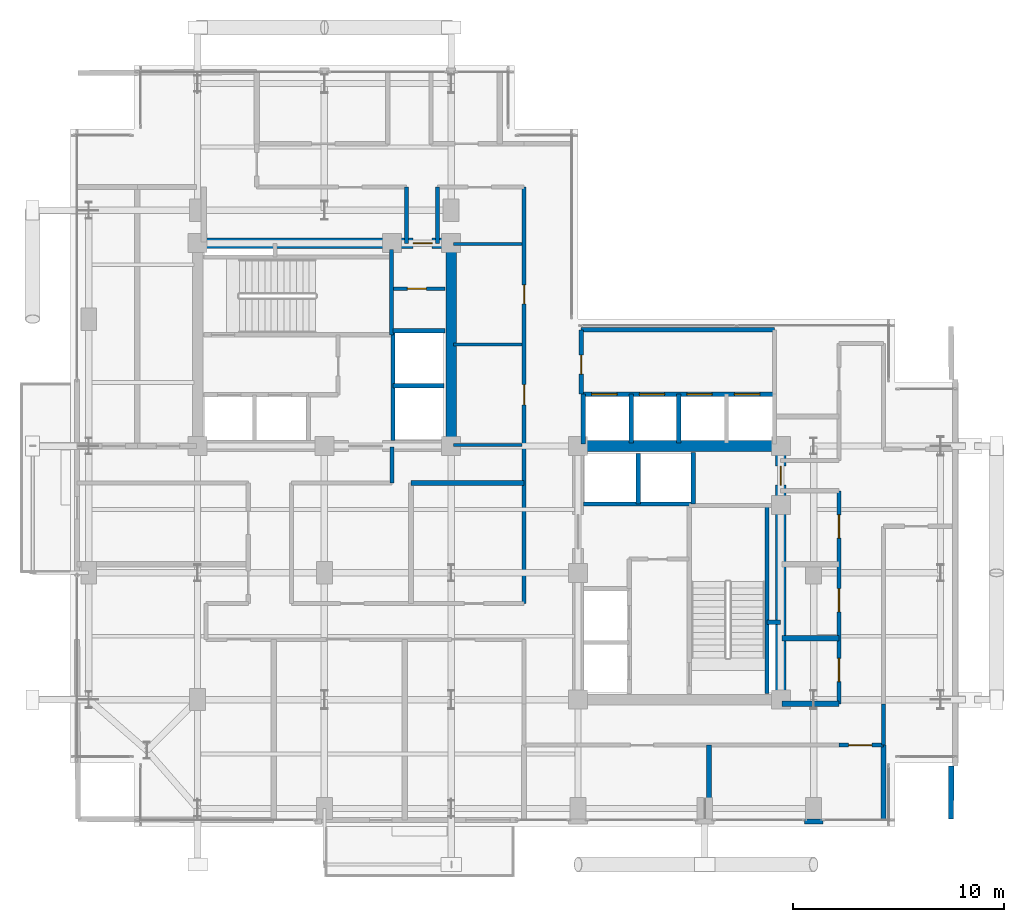
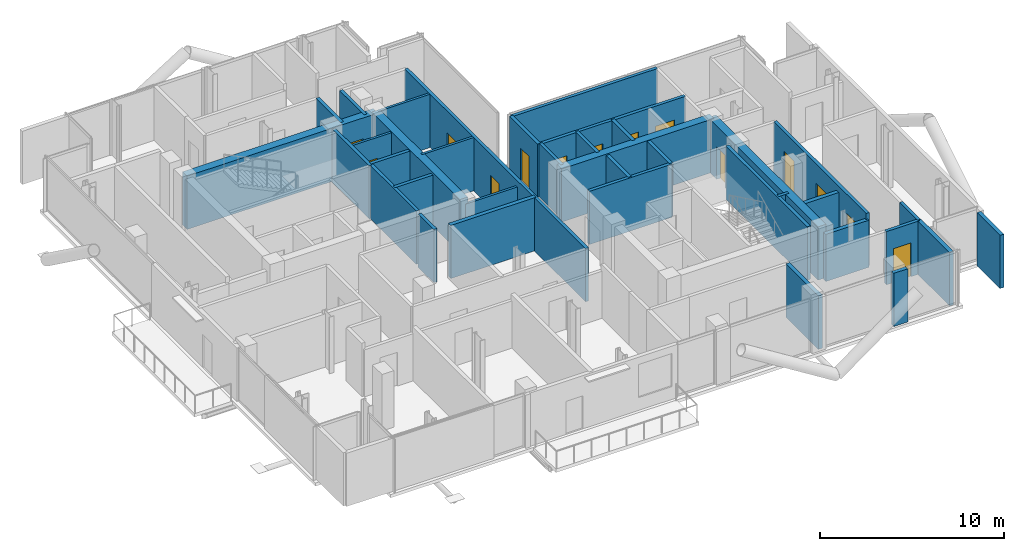
# One storey, part 18 of 21: 37 walls, 14 doors, 14 openings.
"""IFC4 building model written with IfcOpenShell, lengths in metres."""

import ifcopenshell
import ifcopenshell.guid

model = None  # the IFC model being written
_history = None  # IfcOwnerHistory: only IFC2X3 demands one
_inside = {}  # id of a spatial element -> (the spatial element, [elements in it])
_under = {}  # id of a project, library or spatial element -> (it, [spatial elements below it])
_declared = {}  # id of a project -> (the project, [libraries it declares])
_typed = {}  # id of a type object -> (the type object, [elements of that type])
_made_of = {}  # id of a material, layer set ... -> (it, [elements and type objects made of it])


def new_model(schema):
    """Start an empty IFC model of exactly this schema.

    Asked for "IFC4X3", IfcOpenShell would pick the latest addendum, in which some entities
    have other attributes; the version numbers below select the first issue.
    IFC2X3 requires an IfcOwnerHistory on every rooted entity: one is made here for all.
    """
    global model, _history
    if schema == "IFC4X3":
        model = ifcopenshell.file(schema_version=(4, 3, 0, 0))
    else:
        model = ifcopenshell.file(schema=schema)
    _inside.clear()
    _under.clear()
    _declared.clear()
    _typed.clear()
    _made_of.clear()
    _history = None
    if model.schema == "IFC2X3":
        org = make("IfcOrganization", Name="unknown")
        user = make(
            "IfcPersonAndOrganization",
            ThePerson=make("IfcPerson", FamilyName="unknown"),
            TheOrganization=org,
        )
        app = make(
            "IfcApplication",
            ApplicationDeveloper=org,
            Version="unknown",
            ApplicationFullName="unknown",
            ApplicationIdentifier="unknown",
        )
        _history = make(
            "IfcOwnerHistory",
            OwningUser=user,
            OwningApplication=app,
            ChangeAction="ADDED",
            CreationDate=0,
        )
    return model


def make(cls, **values):
    """One entity of the class cls with the attributes given. An attribute that is None is left unset."""
    return model.create_entity(
        cls, **{name: value for name, value in values.items() if value is not None}
    )


def rooted(cls, **values):
    """An entity with a GlobalId (a new one), such as an element, a storey or a relation."""
    return make(cls, GlobalId=ifcopenshell.guid.new(), OwnerHistory=_history, **values)


def si_unit(unit_type, name, prefix=None):
    """IfcSIUnit, for example si_unit("LENGTHUNIT", "METRE", prefix="MILLI")."""
    return make("IfcSIUnit", UnitType=unit_type, Prefix=prefix, Name=name)


def assignment(units):
    """IfcUnitAssignment: the units of a project."""
    return None if units is None else make("IfcUnitAssignment", Units=units)


def point(xyz):
    """IfcCartesianPoint."""
    return None if xyz is None else make("IfcCartesianPoint", Coordinates=xyz)


def direction(xyz):
    """IfcDirection."""
    return None if xyz is None else make("IfcDirection", DirectionRatios=xyz)


def frame(location, z_axis=None, x_axis=None):
    """IfcAxis2Placement3D, a coordinate frame: its origin and axes. An axis left out is left unset."""
    return make(
        "IfcAxis2Placement3D",
        Location=point(location),
        Axis=direction(z_axis),
        RefDirection=direction(x_axis),
    )


def frame_2d(location, x_axis=None):
    """IfcAxis2Placement2D, a coordinate frame in the plane: its origin and x axis."""
    return make(
        "IfcAxis2Placement2D", Location=point(location), RefDirection=direction(x_axis)
    )


def origin():
    """The frame at (0, 0, 0) with its axes left unset."""
    return frame((0.0, 0.0, 0.0))


def place(relative_to, where):
    """IfcLocalPlacement: puts the frame where relative to a parent placement (None: the world)."""
    return make(
        "IfcLocalPlacement", PlacementRelTo=relative_to, RelativePlacement=where
    )


def context(
    kind, dimensions, precision=None, world=None, true_north=None, identifier=None
):
    """IfcGeometricRepresentationContext, for example the 3D "Model" context."""
    return make(
        "IfcGeometricRepresentationContext",
        ContextIdentifier=identifier,
        ContextType=kind,
        CoordinateSpaceDimension=dimensions,
        Precision=precision,
        WorldCoordinateSystem=world,
        TrueNorth=true_north,
    )


def subcontext(parent, identifier, kind, view, scale=None):
    """IfcGeometricRepresentationSubContext, for example "Body" below "Model"."""
    return make(
        "IfcGeometricRepresentationSubContext",
        ContextIdentifier=identifier,
        ContextType=kind,
        ParentContext=parent,
        TargetScale=scale,
        TargetView=view,
    )


def project(units=None, contexts=None):
    """IfcProject with its units and contexts."""
    return rooted(
        "IfcProject",
        Name="project",
        RepresentationContexts=contexts,
        UnitsInContext=assignment(units),
    )


def spatial(cls, under=None, at=None, **own):
    """A site, building, storey or space (cls), placed at a placement, below another one or the project."""
    s = rooted(cls, ObjectPlacement=at, **own)
    if under is not None:
        _under.setdefault(under.id(), (under, []))[1].append(s)
    return s


def profile(cls, at=None, kind="AREA", **sizes):
    """A parametric profile (cls). Its sizes go by their IFC names, for example OverallWidth=200.0."""
    return make(cls, ProfileType=kind, Position=at, **sizes)


def rectangle(**sizes):
    """IfcRectangleProfileDef."""
    return profile("IfcRectangleProfileDef", **sizes)


def extrude(swept, where, along, depth):
    """IfcExtrudedAreaSolid: the profile swept, set in the frame where, extruded along a direction by depth."""
    return make(
        "IfcExtrudedAreaSolid",
        SweptArea=swept,
        Position=where,
        ExtrudedDirection=direction(along),
        Depth=depth,
    )


def shape(context_of_items, identifier, shape_type, items):
    """IfcShapeRepresentation: the items that make up one representation, for example the "Body"."""
    return make(
        "IfcShapeRepresentation",
        ContextOfItems=context_of_items,
        RepresentationIdentifier=identifier,
        RepresentationType=shape_type,
        Items=items,
    )


def material(Name=None, Category=None):
    """IfcMaterial."""
    return make("IfcMaterial", Name=Name, Category=Category)


def layer(
    of_material, thickness, ventilated=None, Name=None, Category=None, Priority=None
):
    """IfcMaterialLayer: one layer of a wall or slab, of a material (None: an air gap)."""
    return make(
        "IfcMaterialLayer",
        Material=of_material,
        LayerThickness=thickness,
        IsVentilated=ventilated,
        Name=Name,
        Category=Category,
        Priority=Priority,
    )


def layer_set(layers, Name=None):
    """IfcMaterialLayerSet."""
    return make("IfcMaterialLayerSet", MaterialLayers=layers, LayerSetName=Name)


def made_of(thing, what):
    """Note that an element or type object is made of a material, layer set ...; save() writes the relation."""
    if what is not None:
        _made_of.setdefault(what.id(), (what, []))[1].append(thing)
    return thing


def type_object(cls, material=None, **own):
    """A type object (cls), such as IfcWallType, which elements share."""
    return made_of(rooted(cls, **own), material)


def element(
    cls,
    number,
    at=None,
    inside=None,
    cuts=None,
    type_object=None,
    material=None,
    context=None,
    identifier="Body",
    shape_type=None,
    held_by="IfcProductDefinitionShape",
    body=None,
    shapes=None,
    **own,
):
    """One element of the class cls, such as IfcWall. Its Tag is "e" and its number.

    at: its placement. inside: the storey or other place that contains it. cuts: it is an
    opening in that element (IfcRelVoidsElement). A single representation is given by context,
    identifier, shape_type and body (its items); several are given by shapes. held_by: the class
    of the entity that holds the representations. save() writes the other relations.
    """
    e = rooted(cls, Tag="e%d" % number, ObjectPlacement=at, **own)
    if body is not None:
        shapes = [shape(context, identifier, shape_type, body)]
    if shapes is not None:
        e.Representation = make(held_by, Representations=shapes)
    if inside is not None:
        _inside.setdefault(inside.id(), (inside, []))[1].append(e)
    if cuts is not None:
        rooted(
            "IfcRelVoidsElement", RelatingBuildingElement=cuts, RelatedOpeningElement=e
        )
    if type_object is not None:
        _typed.setdefault(type_object.id(), (type_object, []))[1].append(e)
    return made_of(e, material)


def fill(opening, filler):
    """IfcRelFillsElement: the door or window that sits in an opening."""
    return rooted(
        "IfcRelFillsElement",
        RelatingOpeningElement=opening,
        RelatedBuildingElement=filler,
    )


def aggregate(whole, parts):
    """IfcRelAggregates: a whole, such as a stair, and the parts it consists of."""
    return rooted("IfcRelAggregates", RelatingObject=whole, RelatedObjects=parts)


def save(model, path):
    """Write the relations noted so far, then the file.

    IfcRelAggregates (storeys below a building ...), IfcRelContainedInSpatialStructure (elements
    in a storey), IfcRelDefinesByType, IfcRelAssociatesMaterial and IfcRelDeclares: one each for
    every whole, place, type object, material and project.
    """
    for whole, parts in _under.values():
        aggregate(whole, parts)
    for where, things in _inside.values():
        rooted(
            "IfcRelContainedInSpatialStructure",
            RelatedElements=things,
            RelatingStructure=where,
        )
    for kind, things in _typed.values():
        rooted("IfcRelDefinesByType", RelatedObjects=things, RelatingType=kind)
    for what, things in _made_of.values():
        rooted("IfcRelAssociatesMaterial", RelatedObjects=things, RelatingMaterial=what)
    for by, libraries in _declared.values():
        rooted("IfcRelDeclares", RelatingContext=by, RelatedDefinitions=libraries)
    model.write(path)


model = new_model("IFC4")

# Units and contexts
model_context = context("Model", 3, precision=1e-05, world=origin(), true_north=direction((0.0, 1.0)))
body_context = subcontext(model_context, "Body", "Model", "MODEL_VIEW")
ifc_project = project(units=[si_unit("LENGTHUNIT", "METRE"), si_unit("AREAUNIT", "SQUARE_METRE"), si_unit("VOLUMEUNIT", "CUBIC_METRE"), si_unit("PLANEANGLEUNIT", "RADIAN"), si_unit("MASSUNIT", "GRAM", prefix="KILO"), si_unit("THERMODYNAMICTEMPERATUREUNIT", "KELVIN"), si_unit("POWERUNIT", "WATT")], contexts=[model_context])

# Site, building, storey
site_placement = place(None, origin())
site = spatial("IfcSite", under=ifc_project, at=site_placement, CompositionType="ELEMENT")
building_placement = place(site_placement, origin())
building = spatial("IfcBuilding", under=site, at=building_placement, Name="Svarakhadi Broadcast Tower", CompositionType="ELEMENT")
storey_placement = place(building_placement, frame((0.0, 0.0, 187.949951171875)))
storey = spatial("IfcBuildingStorey", under=building, at=storey_placement, Name="L46", CompositionType="ELEMENT", Elevation=187.949951171875)

# Walls
ifc_material_1 = material(Name="Double-Stud Acoustic Studio Partition STC-62", Category="gypsum")
ifc_layer_1 = layer(ifc_material_1, 0.25)
ifc_layer_set_1 = layer_set([ifc_layer_1], Name="Double-Stud Acoustic Studio Partition STC-62")
wall_type_1 = type_object("IfcWallType", Name="Wall_Acoust_250", PredefinedType="PARTITIONING", material=ifc_layer_set_1)
wall_1_placement = place(storey_placement, frame((16.10009765625, 16.25, 0.0), z_axis=(0.0, 0.0, 1.0), x_axis=(1.0, 0.0, 0.0)))
element("IfcWall", 1, at=wall_1_placement, inside=storey, type_object=wall_type_1, Name="L46 Accessible Floor Washroom WC Wall", PredefinedType="PARTITIONING", context=body_context, shape_type="SweptSolid", body=[
    extrude(rectangle(XDim=5.349853515625, YDim=0.25, at=frame_2d((2.6748046875, 0.0))), origin(), (0.0, 0.0, 1.0), 3.5400390625),
])
for number, where, z_axis, x_axis, name in (
    (2, (30.199951171875, 0.300048828125, 0.0), (0.0, 0.0, 1.0), (0.0, 1.0, 0.0), "L46 Hotel Business Centre Office Wall"),
    (3, (38.449951171875, 0.300048828125, 0.0), (0.0, 0.0, 1.0), (0.0, 1.0, 0.0), "L46 Private Dining Salon Wall"),
):
    element("IfcWall", number, at=place(storey_placement, frame(where, z_axis=z_axis, x_axis=x_axis)), inside=storey, type_object=wall_type_1, Name=name, PredefinedType="PARTITIONING", context=body_context, shape_type="SweptSolid", body=[
        extrude(rectangle(XDim=3.550048828125, YDim=0.25, at=frame_2d((1.77490234375, 0.0))), origin(), (0.0, 0.0, 1.0), 3.5400390625),
    ])
for number, where, z_axis, x_axis, name in (
    (4, (33.64990234375, 5.800048828125, 0.0), (0.0, 0.0, 1.0), (1.0, 0.0, 0.0), "L46 Sommelier Wine Tasting Room Wall"),
    (5, (33.64990234375, 8.89990234375, 0.0), (0.0, 0.0, 1.0), (1.0, 0.0, 0.0), "L46 Sommelier Wine Tasting Room Wall"),
):
    element("IfcWall", number, at=place(storey_placement, frame(where, z_axis=z_axis, x_axis=x_axis)), inside=storey, type_object=wall_type_1, Name=name, PredefinedType="PARTITIONING", context=body_context, shape_type="SweptSolid", body=[
        extrude(rectangle(XDim=2.7001953125, YDim=0.25, at=frame_2d((1.35009765625, 0.0))), origin(), (0.0, 0.0, 1.0), 3.132080078125),
    ])
wall_2_placement = place(storey_placement, frame((41.64990234375, 0.35009765625, 0.0), z_axis=(0.0, 0.0, 1.0), x_axis=(0.003613257663, 0.999993472163, 0.0)))
element("IfcWall", 6, at=wall_2_placement, inside=storey, type_object=wall_type_1, Name="L46 East Harbour Press Salon Wall", PredefinedType="PARTITIONING", context=body_context, shape_type="SweptSolid", body=[
    extrude(rectangle(XDim=2.5, YDim=0.25, at=frame_2d((1.25, 0.0))), origin(), (0.0, 0.0, 1.0), 3.5400390625),
])
ifc_material_2 = material(Name="Concrete C40/50 (IS 456 M50)", Category="concrete")
ifc_layer_2 = layer(ifc_material_2, 0.239990234375)
ifc_layer_set_2 = layer_set([ifc_layer_2], Name="Concrete C40/50 (IS 456 M50)")
wall_type_2 = type_object("IfcWallType", Name="Wall_Ext_240", PredefinedType="SOLIDWALL", material=ifc_layer_set_2)
wall_3_placement = place(storey_placement, frame((35.590087890625, 0.239990234375, 0.0), z_axis=(0.0, 0.0, 1.0), x_axis=(-1.0, 0.0, 0.0)))
element("IfcWall", 7, at=wall_3_placement, inside=storey, type_object=wall_type_2, Name="L46 Perimeter Bronze Spandrel Closure Wall 03", PredefinedType="SOLIDWALL", context=body_context, shape_type="SweptSolid", body=[
    extrude(rectangle(XDim=0.880126953125, YDim=0.239990234375, at=frame_2d((0.43994140625, 0.0))), origin(), (0.0, 0.0, 1.0), 3.5400390625),
])
ifc_layer_3 = layer(ifc_material_2, 0.199951171875)
ifc_layer_set_3 = layer_set([ifc_layer_3], Name="Concrete C40/50 (IS 456 M50)")
wall_type_3 = type_object("IfcWallType", Name="Wall_Fire_200", PredefinedType="SOLIDWALL", material=ifc_layer_set_3)
wall_4_placement = place(storey_placement, frame((32.93994140625, 9.659912109375, 0.0), z_axis=(0.0, 0.0, 1.0), x_axis=(1.0, 0.0, 0.0)))
element("IfcWall", 8, at=wall_4_placement, inside=storey, type_object=wall_type_3, Name="L46 HV Busduct Riser Shaft North Wall", PredefinedType="SOLIDWALL", context=body_context, shape_type="SweptSolid", body=[
    extrude(rectangle(XDim=0.64013671875, YDim=0.199951171875, at=frame_2d((0.320068359375, 0.0))), origin(), (0.0, 0.0, 1.0), 3.5400390625),
])

# Wall, openings, doors
wall_5_placement = place(storey_placement, frame((36.35009765625, 5.800048828125, 0.0), z_axis=(0.0, 0.0, 1.0), x_axis=(0.0, 1.0, 0.0)))
wall_5 = element("IfcWall", 9, at=wall_5_placement, inside=storey, type_object=wall_type_3, Name="L46 Zone 2/3 Corridor Wall", PredefinedType="SOLIDWALL", context=body_context, shape_type="SweptSolid", body=[
    extrude(rectangle(XDim=10.079833984375, YDim=0.199951171875, at=frame_2d((5.0400390625, 0.0))), origin(), (0.0, 0.0, 1.0), 3.5400390625),
])
opening_1_placement = place(wall_5_placement, frame((1.050048828125, 0.0, 0.0)))
opening_1 = element("IfcOpeningElement", 10, at=opening_1_placement, cuts=wall_5, Name="Opening D-11", PredefinedType="OPENING", context=body_context, shape_type="SweptSolid", body=[
    extrude(rectangle(XDim=1.10009765625, YDim=2.25, at=frame_2d((0.550048828125, 1.125))), frame((0.0, 0.10986328125, 0.0), z_axis=(0.0, -1.0, 0.0), x_axis=(1.0, 0.0, 0.0)), (0.0, 0.0, 1.0), 0.219970703125),
])
opening_2_placement = place(wall_5_placement, frame((4.35009765625, 0.0, 0.0)))
opening_2 = element("IfcOpeningElement", 11, at=opening_2_placement, cuts=wall_5, Name="Opening D-10", PredefinedType="OPENING", context=body_context, shape_type="SweptSolid", body=[
    extrude(rectangle(XDim=1.10009765625, YDim=2.25, at=frame_2d((0.550048828125, 1.125))), frame((0.0, 0.10986328125, 0.0), z_axis=(0.0, -1.0, 0.0), x_axis=(1.0, 0.0, 0.0)), (0.0, 0.0, 1.0), 0.219970703125),
])
opening_3_placement = place(wall_5_placement, frame((7.840087890625, 0.0, 0.0)))
opening_3 = element("IfcOpeningElement", 12, at=opening_3_placement, cuts=wall_5, Name="Opening D-10", PredefinedType="OPENING", context=body_context, shape_type="SweptSolid", body=[
    extrude(rectangle(XDim=1.10009765625, YDim=2.25, at=frame_2d((0.550048828125, 1.125))), frame((0.0, 0.10986328125, 0.0), z_axis=(0.0, -1.0, 0.0), x_axis=(1.0, 0.0, 0.0)), (0.0, 0.0, 1.0), 0.219970703125),
])
ifc_material_3 = material(Name="Solid-Core Teak Veneer Acoustic Timber Leaf", Category="wood")
door_type_1 = type_object("IfcDoorType", Name="Door_Acoust_D10", OperationType="SINGLE_SWING_LEFT", PredefinedType="DOOR", material=ifc_material_3)
door_1_placement = place(opening_2_placement, origin())
door_1 = element("IfcDoor", 13, at=door_1_placement, inside=storey, type_object=door_type_1, Name="L46 VIP Cigar Lounge Door", OperationType="SINGLE_SWING_LEFT", OverallHeight=2.25, OverallWidth=1.10009765625, PredefinedType="DOOR", context=body_context, shape_type="SweptSolid", body=[
    extrude(rectangle(XDim=1.10009765625, YDim=2.25, at=frame_2d((0.550048828125, 1.125))), frame((0.0, 0.02490234375, 0.0), z_axis=(0.0, -1.0, 0.0), x_axis=(1.0, 0.0, 0.0)), (0.0, 0.0, 1.0), 0.050048828125),
])
fill(opening_2, door_1)
door_2_placement = place(opening_3_placement, origin())
door_2 = element("IfcDoor", 14, at=door_2_placement, inside=storey, type_object=door_type_1, Name="L46 Sommelier Wine Tasting Room Door", OperationType="SINGLE_SWING_LEFT", OverallHeight=2.25, OverallWidth=1.10009765625, PredefinedType="DOOR", context=body_context, shape_type="SweptSolid", body=[
    extrude(rectangle(XDim=1.10009765625, YDim=2.25, at=frame_2d((0.550048828125, 1.125))), frame((0.0, 0.02490234375, 0.0), z_axis=(0.0, -1.0, 0.0), x_axis=(1.0, 0.0, 0.0)), (0.0, 0.0, 1.0), 0.050048828125),
])
fill(opening_3, door_2)
door_type_2 = type_object("IfcDoorType", Name="Door_Acoust_D11", OperationType="SINGLE_SWING_RIGHT", PredefinedType="DOOR", material=ifc_material_3)
door_3_placement = place(opening_1_placement, origin())
door_3 = element("IfcDoor", 15, at=door_3_placement, inside=storey, type_object=door_type_2, Name="L46 Sommelier Wine Tasting Room Door", OperationType="SINGLE_SWING_RIGHT", OverallHeight=2.25, OverallWidth=1.10009765625, PredefinedType="DOOR", context=body_context, shape_type="SweptSolid", body=[
    extrude(rectangle(XDim=1.10009765625, YDim=2.25, at=frame_2d((0.550048828125, 1.125))), frame((0.0, 0.02490234375, 0.0), z_axis=(0.0, -1.0, 0.0), x_axis=(1.0, 0.0, 0.0)), (0.0, 0.0, 1.0), 0.050048828125),
])
fill(opening_1, door_3)

# Wall
wall_6_placement = place(storey_placement, frame((38.449951171875, 5.800048828125, 0.0), z_axis=(0.0, 0.0, 1.0), x_axis=(0.0, -1.0, 0.0)))
element("IfcWall", 16, at=wall_6_placement, inside=storey, type_object=wall_type_3, Name="L46 Zone 2/3 Corridor Wall", PredefinedType="SOLIDWALL", context=body_context, shape_type="SweptSolid", body=[
    extrude(rectangle(XDim=1.949951171875, YDim=0.199951171875, at=frame_2d((0.97509765625, 0.0))), origin(), (0.0, 0.0, 1.0), 3.5400390625),
])

# Wall, opening, door
wall_7_placement = place(storey_placement, frame((38.449951171875, 3.85009765625, 0.0), z_axis=(0.0, 0.0, 1.0), x_axis=(-1.0, 0.0, 0.0)))
wall_7 = element("IfcWall", 17, at=wall_7_placement, inside=storey, type_object=wall_type_3, Name="L46 Zone 2/3 Corridor Wall", PredefinedType="SOLIDWALL", context=body_context, shape_type="SweptSolid", body=[
    extrude(rectangle(XDim=2.099853515625, YDim=0.199951171875, at=frame_2d((1.0498046875, 0.0))), origin(), (0.0, 0.0, 1.0), 3.5400390625),
])
opening_4_placement = place(wall_7_placement, frame((0.550048828125, 0.0, 0.0)))
opening_4 = element("IfcOpeningElement", 18, at=opening_4_placement, cuts=wall_7, Name="Opening D-10", PredefinedType="OPENING", context=body_context, shape_type="SweptSolid", body=[
    extrude(rectangle(XDim=1.10009765625, YDim=2.25, at=frame_2d((0.550048828125, 1.125))), frame((0.0, 0.10986328125, 0.0), z_axis=(0.0, -1.0, 0.0), x_axis=(1.0, 0.0, 0.0)), (0.0, 0.0, 1.0), 0.219970703125),
])
door_4_placement = place(opening_4_placement, origin())
door_4 = element("IfcDoor", 19, at=door_4_placement, inside=storey, type_object=door_type_1, Name="L46 Private Dining Salon Door", OperationType="SINGLE_SWING_LEFT", OverallHeight=2.25, OverallWidth=1.10009765625, PredefinedType="DOOR", context=body_context, shape_type="SweptSolid", body=[
    extrude(rectangle(XDim=1.10009765625, YDim=2.25, at=frame_2d((0.550048828125, 1.125))), frame((0.0, 0.02490234375, 0.0), z_axis=(0.0, -1.0, 0.0), x_axis=(1.0, 0.0, 0.0)), (0.0, 0.0, 1.0), 0.050048828125),
])
fill(opening_4, door_4)

# Wall
wall_8_placement = place(storey_placement, frame((15.199951171875, 17.949951171875, 0.0), z_axis=(0.0, 0.0, 1.0), x_axis=(0.0, -1.0, 0.0)))
element("IfcWall", 20, at=wall_8_placement, inside=storey, type_object=wall_type_3, Name="L46 Zone 2/3 Corridor Wall", PredefinedType="SOLIDWALL", context=body_context, shape_type="SweptSolid", body=[
    extrude(rectangle(XDim=1.699951171875, YDim=0.199951171875, at=frame_2d((0.85009765625, 0.0))), origin(), (0.0, 0.0, 1.0), 3.5400390625),
])

# Wall, openings, doors
wall_9_placement = place(storey_placement, frame((21.449951171875, 10.550048828125, 0.0), z_axis=(0.0, 0.0, 1.0), x_axis=(0.0, 1.0, 0.0)))
wall_9 = element("IfcWall", 21, at=wall_9_placement, inside=storey, type_object=wall_type_3, Name="L46 Zone 2/3 Corridor Wall", PredefinedType="SOLIDWALL", context=body_context, shape_type="SweptSolid", body=[
    extrude(rectangle(XDim=19.699951171875, YDim=0.199951171875, at=frame_2d((9.85009765625, 0.0))), origin(), (0.0, 0.0, 1.0), 3.5400390625),
])
opening_5_placement = place(wall_9_placement, frame((9.39990234375, 0.0, 0.0)))
opening_5 = element("IfcOpeningElement", 22, at=opening_5_placement, cuts=wall_9, Name="Opening D-07", PredefinedType="OPENING", context=body_context, shape_type="SweptSolid", body=[
    extrude(rectangle(XDim=0.949951171875, YDim=2.14990234375, at=frame_2d((0.47509765625, 1.074951171875))), frame((0.0, 0.10986328125, 0.0), z_axis=(0.0, -1.0, 0.0), x_axis=(1.0, 0.0, 0.0)), (0.0, 0.0, 1.0), 0.219970703125),
])
opening_6_placement = place(wall_9_placement, frame((14.175048828125, 0.0, 0.0)))
opening_6 = element("IfcOpeningElement", 23, at=opening_6_placement, cuts=wall_9, Name="Opening D-12", PredefinedType="OPENING", context=body_context, shape_type="SweptSolid", body=[
    extrude(rectangle(XDim=0.89990234375, YDim=2.10009765625, at=frame_2d((0.449951171875, 1.050048828125))), frame((0.0, 0.10986328125, 0.0), z_axis=(0.0, -1.0, 0.0), x_axis=(1.0, 0.0, 0.0)), (0.0, 0.0, 1.0), 0.219970703125),
])
door_type_3 = type_object("IfcDoorType", Name="Door_Office_D07", OperationType="SINGLE_SWING_RIGHT", PredefinedType="DOOR", material=ifc_material_3)
door_5_placement = place(opening_5_placement, origin())
door_5 = element("IfcDoor", 24, at=door_5_placement, inside=storey, type_object=door_type_3, Name="L46 Hotel Floor Butler Service Pantry Door", OperationType="SINGLE_SWING_RIGHT", OverallHeight=2.14990234375, OverallWidth=0.949951171875, PredefinedType="DOOR", context=body_context, shape_type="SweptSolid", body=[
    extrude(rectangle(XDim=0.949951171875, YDim=2.14990234375, at=frame_2d((0.47509765625, 1.074951171875))), frame((0.0, 0.02490234375, 0.0), z_axis=(0.0, -1.0, 0.0), x_axis=(1.0, 0.0, 0.0)), (0.0, 0.0, 1.0), 0.050048828125),
])
fill(opening_5, door_5)
door_type_4 = type_object("IfcDoorType", Name="Door_WC_D01", OperationType="SINGLE_SWING_LEFT", PredefinedType="DOOR", material=ifc_material_3)
door_6_placement = place(opening_6_placement, origin())
door_6 = element("IfcDoor", 25, at=door_6_placement, inside=storey, type_object=door_type_4, Name="L46 Accessible Guest Washroom WC Door", OperationType="SINGLE_SWING_LEFT", OverallHeight=2.10009765625, OverallWidth=0.89990234375, PredefinedType="DOOR", context=body_context, shape_type="SweptSolid", body=[
    extrude(rectangle(XDim=0.89990234375, YDim=2.10009765625, at=frame_2d((0.449951171875, 1.050048828125))), frame((0.0, 0.02490234375, 0.0), z_axis=(0.0, -1.0, 0.0), x_axis=(1.0, 0.0, 0.0)), (0.0, 0.0, 1.0), 0.050048828125),
])
fill(opening_6, door_6)

# Walls
for number, where, z_axis, x_axis, name in (
    (26, (17.35009765625, 30.25, 0.0), (0.0, 0.0, 1.0), (0.0, -1.0, 0.0), "L46 Zone 2/3 Corridor Wall"),
    (27, (15.8798828125, 27.580078125, 0.0), (0.0, 0.0, 1.0), (0.0, 1.0, 0.0), "L46 Zone 2/3 Corridor Wall"),
):
    element("IfcWall", number, at=place(storey_placement, frame(where, z_axis=z_axis, x_axis=x_axis)), inside=storey, type_object=wall_type_3, Name=name, PredefinedType="SOLIDWALL", context=body_context, shape_type="SweptSolid", body=[
        extrude(rectangle(XDim=2.669921875, YDim=0.199951171875, at=frame_2d((1.3349609375, 0.0))), origin(), (0.0, 0.0, 1.0), 3.5400390625),
    ])

# Wall, opening, door
ifc_material_4 = material(Name="Autoclaved Aerated Concrete Blockwork 150 mm", Category="masonry")
ifc_layer_4 = layer(ifc_material_4, 0.14990234375)
ifc_layer_set_4 = layer_set([ifc_layer_4], Name="Autoclaved Aerated Concrete Blockwork 150 mm")
wall_type_4 = type_object("IfcWallType", Name="Wall_Part_150", PredefinedType="PARTITIONING", material=ifc_layer_set_4)
wall_10_placement = place(storey_placement, frame((15.280029296875, 25.43994140625, 0.0), z_axis=(0.0, 0.0, 1.0), x_axis=(1.0, 0.0, 0.0)))
wall_10 = element("IfcWall", 28, at=wall_10_placement, inside=storey, type_object=wall_type_4, Name="L46 West Core Service Split Wall", PredefinedType="PARTITIONING", context=body_context, shape_type="SweptSolid", body=[
    extrude(rectangle(XDim=2.419921875, YDim=0.14990234375, at=frame_2d((1.2099609375, 0.0))), origin(), (0.0, 0.0, 1.0), 3.5400390625),
])
opening_7_placement = place(wall_10_placement, frame((0.64990234375, 0.0, 0.0)))
opening_7 = element("IfcOpeningElement", 29, at=opening_7_placement, cuts=wall_10, Name="Opening D-03", PredefinedType="OPENING", context=body_context, shape_type="SweptSolid", body=[
    extrude(rectangle(XDim=0.89990234375, YDim=2.14990234375, at=frame_2d((0.449951171875, 1.074951171875))), frame((0.0, 0.0849609375, 0.0), z_axis=(0.0, -1.0, 0.0), x_axis=(1.0, 0.0, 0.0)), (0.0, 0.0, 1.0), 0.169921875),
])
ifc_material_5 = material(Name="Galvanised Powder-Coated Fire-Rated Steel Leaf", Category="steel")
door_type_5 = type_object("IfcDoorType", Name="Door_Fire_D03", OperationType="SINGLE_SWING_LEFT", PredefinedType="DOOR", material=ifc_material_5)
door_7_placement = place(opening_7_placement, origin())
door_7 = element("IfcDoor", 30, at=door_7_placement, inside=storey, type_object=door_type_5, Name="L46 West Core Inner Store Door", OperationType="SINGLE_SWING_LEFT", OverallHeight=2.14990234375, OverallWidth=0.89990234375, PredefinedType="DOOR", context=body_context, shape_type="SweptSolid", body=[
    extrude(rectangle(XDim=0.89990234375, YDim=2.14990234375, at=frame_2d((0.449951171875, 1.074951171875))), frame((0.0, 0.02490234375, 0.0), z_axis=(0.0, -1.0, 0.0), x_axis=(1.0, 0.0, 0.0)), (0.0, 0.0, 1.0), 0.050048828125),
])
fill(opening_7, door_7)

# Walls
wall_11_placement = place(storey_placement, frame((18.10009765625, 18.050048828125, 0.0), z_axis=(0.0, 0.0, 1.0), x_axis=(1.0, 0.0, 0.0)))
element("IfcWall", 31, at=wall_11_placement, inside=storey, type_object=wall_type_4, Name="L46 Hotel Floor Butler Service Pantry Wall", PredefinedType="PARTITIONING", context=body_context, shape_type="SweptSolid", body=[
    extrude(rectangle(XDim=3.25, YDim=0.14990234375, at=frame_2d((1.625, 0.0))), origin(), (0.0, 0.0, 1.0), 3.132080078125),
])
for number, where, z_axis, x_axis, name in (
    (32, (18.10009765625, 22.800048828125, 0.0), (0.0, 0.0, 1.0), (1.0, 0.0, 0.0), "L46 Hotel Floor Butler Service Pantry Wall"),
    (33, (18.10009765625, 27.550048828125, 0.0), (0.0, 0.0, 1.0), (1.0, 0.0, 0.0), "L46 Accessible Guest Washroom WC Wall"),
):
    element("IfcWall", number, at=place(storey_placement, frame(where, z_axis=z_axis, x_axis=x_axis)), inside=storey, type_object=wall_type_4, Name=name, PredefinedType="PARTITIONING", context=body_context, shape_type="SweptSolid", body=[
        extrude(rectangle(XDim=3.25, YDim=0.14990234375, at=frame_2d((1.625, 0.0))), origin(), (0.0, 0.0, 1.0), 3.5400390625),
    ])
ifc_material_6 = material(Name="Concrete C50/60 (IS 456 M60)", Category="concrete")
ifc_layer_5 = layer(ifc_material_6, 0.199951171875)
ifc_layer_set_5 = layer_set([ifc_layer_5], Name="Concrete C50/60 (IS 456 M60)")
wall_type_5 = type_object("IfcWallType", Name="Wall_Shear_200", PredefinedType="SHEAR", material=ifc_layer_set_5)
wall_12_placement = place(storey_placement, frame((15.179931640625, 23.260009765625, 0.0), z_axis=(0.0, 0.0, 1.0), x_axis=(0.0, 1.0, 0.0)))
element("IfcWall", 34, at=wall_12_placement, inside=storey, type_object=wall_type_5, Name="L46 Stair ST-01 East RC Shaft Wall", PredefinedType="SHEAR", context=body_context, shape_type="SweptSolid", body=[
    extrude(rectangle(XDim=4.0400390625, YDim=0.199951171875, at=frame_2d((2.02001953125, 0.0))), origin(), (0.0, 0.0, 1.0), 3.5400390625),
])
wall_13_placement = place(storey_placement, frame((32.93994140625, 6.300048828125, 0.0), z_axis=(0.0, 0.0, 1.0), x_axis=(0.0, 1.0, 0.0)))
element("IfcWall", 35, at=wall_13_placement, inside=storey, type_object=wall_type_5, Name="L46 Stair ST-02 East RC Shaft Wall", PredefinedType="SHEAR", context=body_context, shape_type="SweptSolid", body=[
    extrude(rectangle(XDim=8.8798828125, YDim=0.199951171875, at=frame_2d((4.43994140625, 0.0))), origin(), (0.0, 0.0, 1.0), 3.5400390625),
])
wall_14_placement = place(storey_placement, frame((15.25, 18.25, 0.0), z_axis=(0.0, 0.0, 1.0), x_axis=(0.0, 1.0, 0.0)))
element("IfcWall", 36, at=wall_14_placement, inside=storey, type_object=wall_type_5, Name="L46 High-Rise Lift LF-13/14 West Shaft Wall", PredefinedType="SHEAR", context=body_context, shape_type="SweptSolid", body=[
    extrude(rectangle(XDim=5.199951171875, YDim=0.199951171875, at=frame_2d((2.60009765625, 0.0))), origin(), (0.0, 0.0, 1.0), 3.5400390625),
])
wall_15_placement = place(storey_placement, frame((15.25, 20.85009765625, 0.0), z_axis=(0.0, 0.0, 1.0), x_axis=(1.0, 0.0, 0.0)))
element("IfcWall", 37, at=wall_15_placement, inside=storey, type_object=wall_type_5, Name="L46 High-Rise Lift LF-13/14 Divider", PredefinedType="SHEAR", context=body_context, shape_type="SweptSolid", body=[
    extrude(rectangle(XDim=2.39990234375, YDim=0.199951171875, at=frame_2d((1.199951171875, 0.0))), origin(), (0.0, 0.0, 1.0), 3.5400390625),
])
wall_16_placement = place(storey_placement, frame((15.25, 23.449951171875, 0.0), z_axis=(0.0, 0.0, 1.0), x_axis=(1.0, 0.0, 0.0)))
element("IfcWall", 38, at=wall_16_placement, inside=storey, type_object=wall_type_5, Name="L46 High-Rise Lift LF-13/14 North Wall", PredefinedType="SHEAR", context=body_context, shape_type="SweptSolid", body=[
    extrude(rectangle(XDim=2.449951171875, YDim=0.199951171875, at=frame_2d((1.22509765625, 0.0))), origin(), (0.0, 0.0, 1.0), 3.5400390625),
])
wall_17_placement = place(storey_placement, frame((24.25, 15.25, 0.0), z_axis=(0.0, 0.0, 1.0), x_axis=(1.0, 0.0, 0.0)))
element("IfcWall", 39, at=wall_17_placement, inside=storey, type_object=wall_type_5, Name="L46 High-Rise Lift LF-15/16 South Shaft Wall", PredefinedType="SHEAR", context=body_context, shape_type="SweptSolid", body=[
    extrude(rectangle(XDim=5.199951171875, YDim=0.199951171875, at=frame_2d((2.60009765625, 0.0))), origin(), (0.0, 0.0, 1.0), 3.5400390625),
])
wall_18_placement = place(storey_placement, frame((26.85009765625, 15.25, 0.0), z_axis=(0.0, 0.0, 1.0), x_axis=(0.0, 1.0, 0.0)))
element("IfcWall", 40, at=wall_18_placement, inside=storey, type_object=wall_type_5, Name="L46 High-Rise Lift LF-15/16 Divider", PredefinedType="SHEAR", context=body_context, shape_type="SweptSolid", body=[
    extrude(rectangle(XDim=2.39990234375, YDim=0.199951171875, at=frame_2d((1.199951171875, 0.0))), origin(), (0.0, 0.0, 1.0), 3.5400390625),
])
wall_19_placement = place(storey_placement, frame((29.449951171875, 15.25, 0.0), z_axis=(0.0, 0.0, 1.0), x_axis=(0.0, 1.0, 0.0)))
element("IfcWall", 41, at=wall_19_placement, inside=storey, type_object=wall_type_5, Name="L46 High-Rise Lift LF-15/16 East Wall", PredefinedType="SHEAR", context=body_context, shape_type="SweptSolid", body=[
    extrude(rectangle(XDim=2.449951171875, YDim=0.199951171875, at=frame_2d((1.22509765625, 0.0))), origin(), (0.0, 0.0, 1.0), 3.5400390625),
])
wall_20_placement = place(storey_placement, frame((24.25, 18.10009765625, 0.0), z_axis=(0.0, 0.0, 1.0), x_axis=(0.0, 1.0, 0.0)))
element("IfcWall", 42, at=wall_20_placement, inside=storey, type_object=wall_type_5, Name="L46 Bank B West Shaft Wall", PredefinedType="SHEAR", context=body_context, shape_type="SweptSolid", body=[
    extrude(rectangle(XDim=2.349853515625, YDim=0.199951171875, at=frame_2d((1.1748046875, 0.0))), origin(), (0.0, 0.0, 1.0), 3.5400390625),
])

# Wall, openings, doors
wall_21_placement = place(storey_placement, frame((24.25, 20.449951171875, 0.0), z_axis=(0.0, 0.0, 1.0), x_axis=(1.0, 0.0, 0.0)))
wall_21 = element("IfcWall", 43, at=wall_21_placement, inside=storey, type_object=wall_type_5, Name="L46 Bank B North Landing Wall", PredefinedType="SHEAR", context=body_context, shape_type="SweptSolid", body=[
    extrude(rectangle(XDim=9.050048828125, YDim=0.199951171875, at=frame_2d((4.52490234375, 0.0))), origin(), (0.0, 0.0, 1.0), 3.5400390625),
])
opening_8_placement = place(wall_21_placement, frame((0.39990234375, 0.0, 0.0)))
opening_8 = element("IfcOpeningElement", 44, at=opening_8_placement, cuts=wall_21, Name="Opening LD-02", PredefinedType="OPENING", context=body_context, shape_type="SweptSolid", body=[
    extrude(rectangle(XDim=1.199951171875, YDim=2.199951171875, at=frame_2d((0.60009765625, 1.10009765625))), frame((0.0, 0.10986328125, 0.0), z_axis=(0.0, -1.0, 0.0), x_axis=(1.0, 0.0, 0.0)), (0.0, 0.0, 1.0), 0.219970703125),
])
opening_9_placement = place(wall_21_placement, frame((2.64990234375, 0.0, 0.0)))
opening_9 = element("IfcOpeningElement", 45, at=opening_9_placement, cuts=wall_21, Name="Opening LD-02", PredefinedType="OPENING", context=body_context, shape_type="SweptSolid", body=[
    extrude(rectangle(XDim=1.199951171875, YDim=2.199951171875, at=frame_2d((0.60009765625, 1.10009765625))), frame((0.0, 0.10986328125, 0.0), z_axis=(0.0, -1.0, 0.0), x_axis=(1.0, 0.0, 0.0)), (0.0, 0.0, 1.0), 0.219970703125),
])
opening_10_placement = place(wall_21_placement, frame((4.89990234375, 0.0, 0.0)))
opening_10 = element("IfcOpeningElement", 46, at=opening_10_placement, cuts=wall_21, Name="Opening LD-02", PredefinedType="OPENING", context=body_context, shape_type="SweptSolid", body=[
    extrude(rectangle(XDim=1.199951171875, YDim=2.199951171875, at=frame_2d((0.60009765625, 1.10009765625))), frame((0.0, 0.10986328125, 0.0), z_axis=(0.0, -1.0, 0.0), x_axis=(1.0, 0.0, 0.0)), (0.0, 0.0, 1.0), 0.219970703125),
])
opening_11_placement = place(wall_21_placement, frame((7.14990234375, 0.0, 0.0)))
opening_11 = element("IfcOpeningElement", 47, at=opening_11_placement, cuts=wall_21, Name="Opening LD-02", PredefinedType="OPENING", context=body_context, shape_type="SweptSolid", body=[
    extrude(rectangle(XDim=1.199951171875, YDim=2.199951171875, at=frame_2d((0.60009765625, 1.10009765625))), frame((0.0, 0.10986328125, 0.0), z_axis=(0.0, -1.0, 0.0), x_axis=(1.0, 0.0, 0.0)), (0.0, 0.0, 1.0), 0.219970703125),
])
door_type_6 = type_object("IfcDoorType", Name="Door_Lift_LD02", OperationType="SLIDING_TO_RIGHT", PredefinedType="DOOR", material=ifc_material_5)
door_8_placement = place(opening_8_placement, origin())
door_8 = element("IfcDoor", 48, at=door_8_placement, inside=storey, type_object=door_type_6, Name="L46 Mid-Rise Lift LF-09 Landing Door", OperationType="SLIDING_TO_RIGHT", OverallHeight=2.199951171875, OverallWidth=1.199951171875, PredefinedType="DOOR", context=body_context, shape_type="SweptSolid", body=[
    extrude(rectangle(XDim=1.199951171875, YDim=2.199951171875, at=frame_2d((0.60009765625, 1.10009765625))), frame((0.0, 0.02490234375, 0.0), z_axis=(0.0, -1.0, 0.0), x_axis=(1.0, 0.0, 0.0)), (0.0, 0.0, 1.0), 0.050048828125),
])
fill(opening_8, door_8)
door_9_placement = place(opening_9_placement, origin())
door_9 = element("IfcDoor", 49, at=door_9_placement, inside=storey, type_object=door_type_6, Name="L46 Mid-Rise Lift LF-10 Landing Door", OperationType="SLIDING_TO_RIGHT", OverallHeight=2.199951171875, OverallWidth=1.199951171875, PredefinedType="DOOR", context=body_context, shape_type="SweptSolid", body=[
    extrude(rectangle(XDim=1.199951171875, YDim=2.199951171875, at=frame_2d((0.60009765625, 1.10009765625))), frame((0.0, 0.02490234375, 0.0), z_axis=(0.0, -1.0, 0.0), x_axis=(1.0, 0.0, 0.0)), (0.0, 0.0, 1.0), 0.050048828125),
])
fill(opening_9, door_9)
door_10_placement = place(opening_10_placement, origin())
door_10 = element("IfcDoor", 50, at=door_10_placement, inside=storey, type_object=door_type_6, Name="L46 Mid-Rise Lift LF-11 Landing Door", OperationType="SLIDING_TO_RIGHT", OverallHeight=2.199951171875, OverallWidth=1.199951171875, PredefinedType="DOOR", context=body_context, shape_type="SweptSolid", body=[
    extrude(rectangle(XDim=1.199951171875, YDim=2.199951171875, at=frame_2d((0.60009765625, 1.10009765625))), frame((0.0, 0.02490234375, 0.0), z_axis=(0.0, -1.0, 0.0), x_axis=(1.0, 0.0, 0.0)), (0.0, 0.0, 1.0), 0.050048828125),
])
fill(opening_10, door_10)
door_11_placement = place(opening_11_placement, origin())
door_11 = element("IfcDoor", 51, at=door_11_placement, inside=storey, type_object=door_type_6, Name="L46 Mid-Rise Lift LF-12 Landing Door", OperationType="SLIDING_TO_RIGHT", OverallHeight=2.199951171875, OverallWidth=1.199951171875, PredefinedType="DOOR", context=body_context, shape_type="SweptSolid", body=[
    extrude(rectangle(XDim=1.199951171875, YDim=2.199951171875, at=frame_2d((0.60009765625, 1.10009765625))), frame((0.0, 0.02490234375, 0.0), z_axis=(0.0, -1.0, 0.0), x_axis=(1.0, 0.0, 0.0)), (0.0, 0.0, 1.0), 0.050048828125),
])
fill(opening_11, door_11)

# Walls
for number, where, z_axis, x_axis, name in (
    (52, (26.52001953125, 18.14990234375, 0.0), (0.0, 0.0, 1.0), (0.0, 1.0, 0.0), "L46 Bank B Divider"),
    (53, (28.77001953125, 18.14990234375, 0.0), (0.0, 0.0, 1.0), (0.0, 1.0, 0.0), "L46 Bank B Divider"),
):
    element("IfcWall", number, at=place(storey_placement, frame(where, z_axis=z_axis, x_axis=x_axis)), inside=storey, type_object=wall_type_5, Name=name, PredefinedType="SHEAR", context=body_context, shape_type="SweptSolid", body=[
        extrude(rectangle(XDim=2.300048828125, YDim=0.199951171875, at=frame_2d((1.14990234375, 0.0))), origin(), (0.0, 0.0, 1.0), 3.5400390625),
    ])
wall_22_placement = place(storey_placement, frame((24.14990234375, 23.5, 0.0), z_axis=(0.0, 0.0, 1.0), x_axis=(1.0, 0.0, 0.0)))
element("IfcWall", 54, at=wall_22_placement, inside=storey, type_object=wall_type_5, Name="L46 Bank B Lift Hall North Wall", PredefinedType="SHEAR", context=body_context, shape_type="SweptSolid", body=[
    extrude(rectangle(XDim=9.150146484375, YDim=0.199951171875, at=frame_2d((4.5751953125, 0.0))), origin(), (0.0, 0.0, 1.0), 3.5400390625),
])

# Wall, opening, door
wall_23_placement = place(storey_placement, frame((24.14990234375, 20.449951171875, 0.0), z_axis=(0.0, 0.0, 1.0), x_axis=(0.0, 1.0, 0.0)))
wall_23 = element("IfcWall", 55, at=wall_23_placement, inside=storey, type_object=wall_type_5, Name="L46 Bank B Lift Hall West Wall", PredefinedType="SHEAR", context=body_context, shape_type="SweptSolid", body=[
    extrude(rectangle(XDim=3.050048828125, YDim=0.199951171875, at=frame_2d((1.52490234375, 0.0))), origin(), (0.0, 0.0, 1.0), 3.5400390625),
])
opening_12_placement = place(wall_23_placement, frame((0.949951171875, 0.0, 0.0)))
opening_12 = element("IfcOpeningElement", 56, at=opening_12_placement, cuts=wall_23, Name="Opening D-04", PredefinedType="OPENING", context=body_context, shape_type="SweptSolid", body=[
    extrude(rectangle(XDim=0.89990234375, YDim=2.14990234375, at=frame_2d((0.449951171875, 1.074951171875))), frame((0.0, 0.10986328125, 0.0), z_axis=(0.0, -1.0, 0.0), x_axis=(1.0, 0.0, 0.0)), (0.0, 0.0, 1.0), 0.219970703125),
])
door_type_7 = type_object("IfcDoorType", Name="Door_Fire_D04", OperationType="SINGLE_SWING_RIGHT", PredefinedType="DOOR", material=ifc_material_5)
door_12_placement = place(opening_12_placement, origin())
door_12 = element("IfcDoor", 57, at=door_12_placement, inside=storey, type_object=door_type_7, Name="L46 Mid-Rise Lift Hall West Corridor Door", OperationType="SINGLE_SWING_RIGHT", OverallHeight=2.14990234375, OverallWidth=0.89990234375, PredefinedType="DOOR", context=body_context, shape_type="SweptSolid", body=[
    extrude(rectangle(XDim=0.89990234375, YDim=2.14990234375, at=frame_2d((0.449951171875, 1.074951171875))), frame((0.0, 0.02490234375, 0.0), z_axis=(0.0, -1.0, 0.0), x_axis=(1.0, 0.0, 0.0)), (0.0, 0.0, 1.0), 0.050048828125),
])
fill(opening_12, door_12)

ifc_layer_6 = layer(ifc_material_6, 0.5)
ifc_layer_set_6 = layer_set([ifc_layer_6], Name="Concrete C50/60 (IS 456 M60)")
wall_type_6 = type_object("IfcWallType", Name="Wall_Shear_500", PredefinedType="SHEAR", material=ifc_layer_set_6)
wall_24_placement = place(storey_placement, frame((6.0, 27.60009765625, 0.0), z_axis=(0.0, 0.0, 1.0), x_axis=(1.0, 0.0, 0.0)))
wall_24 = element("IfcWall", 58, at=wall_24_placement, inside=storey, type_object=wall_type_6, Name="L46 West Core North Shear Wall", PredefinedType="SHEAR", context=body_context, shape_type="SweptSolid", body=[
    extrude(rectangle(XDim=12.0, YDim=0.5, at=frame_2d((6.0, 0.0))), origin(), (0.0, 0.0, 1.0), 3.5400390625),
])
opening_13_placement = place(wall_24_placement, frame((10.199951171875, 0.0, 0.0)))
opening_13 = element("IfcOpeningElement", 59, at=opening_13_placement, cuts=wall_24, Name="Opening D-04", PredefinedType="OPENING", context=body_context, shape_type="SweptSolid", body=[
    extrude(rectangle(XDim=0.89990234375, YDim=2.14990234375, at=frame_2d((0.449951171875, 1.074951171875))), frame((0.0, 0.260009765625, 0.0), z_axis=(0.0, -1.0, 0.0), x_axis=(1.0, 0.0, 0.0)), (0.0, 0.0, 1.0), 0.52001953125),
])
door_13_placement = place(opening_13_placement, origin())
door_13 = element("IfcDoor", 60, at=door_13_placement, inside=storey, type_object=door_type_7, Name="L46 West Core Outer Store Door", OperationType="SINGLE_SWING_RIGHT", OverallHeight=2.14990234375, OverallWidth=0.89990234375, PredefinedType="DOOR", context=body_context, shape_type="SweptSolid", body=[
    extrude(rectangle(XDim=0.89990234375, YDim=2.14990234375, at=frame_2d((0.449951171875, 1.074951171875))), frame((0.0, 0.02490234375, 0.0), z_axis=(0.0, -1.0, 0.0), x_axis=(1.0, 0.0, 0.0)), (0.0, 0.0, 1.0), 0.050048828125),
])
fill(opening_13, door_13)

# Walls
for number, where, z_axis, x_axis, name in (
    (61, (18.0, 18.0, 0.0), (0.0, 0.0, 1.0), (0.0, 1.0, 0.0), "L46 West Core East Shear Wall"),
    (62, (24.0, 18.0, 0.0), (0.0, 0.0, 1.0), (1.0, 0.0, 0.0), "L46 East Core North Shear Wall"),
):
    element("IfcWall", number, at=place(storey_placement, frame(where, z_axis=z_axis, x_axis=x_axis)), inside=storey, type_object=wall_type_6, Name=name, PredefinedType="SHEAR", context=body_context, shape_type="SweptSolid", body=[
        extrude(rectangle(XDim=9.60009765625, YDim=0.5, at=frame_2d((4.800048828125, 0.0))), origin(), (0.0, 0.0, 1.0), 3.5400390625),
    ])

# Wall, opening, door
wall_25_placement = place(storey_placement, frame((33.60009765625, 6.0, 0.0), z_axis=(0.0, 0.0, 1.0), x_axis=(0.0, 1.0, 0.0)))
wall_25 = element("IfcWall", 63, at=wall_25_placement, inside=storey, type_object=wall_type_6, Name="L46 East Core East Shear Wall", PredefinedType="SHEAR", context=body_context, shape_type="SweptSolid", body=[
    extrude(rectangle(XDim=12.0, YDim=0.5, at=frame_2d((6.0, 0.0))), origin(), (0.0, 0.0, 1.0), 3.5400390625),
])
opening_14_placement = place(wall_25_placement, frame((10.14990234375, 0.0, 0.0)))
opening_14 = element("IfcOpeningElement", 64, at=opening_14_placement, cuts=wall_25, Name="Opening D-04", PredefinedType="OPENING", context=body_context, shape_type="SweptSolid", body=[
    extrude(rectangle(XDim=0.89990234375, YDim=2.14990234375, at=frame_2d((0.449951171875, 1.074951171875))), frame((0.0, 0.260009765625, 0.0), z_axis=(0.0, -1.0, 0.0), x_axis=(1.0, 0.0, 0.0)), (0.0, 0.0, 1.0), 0.52001953125),
])
door_14_placement = place(opening_14_placement, origin())
door_14 = element("IfcDoor", 65, at=door_14_placement, inside=storey, type_object=door_type_7, Name="L46 East Core Service Store Door", OperationType="SINGLE_SWING_RIGHT", OverallHeight=2.14990234375, OverallWidth=0.89990234375, PredefinedType="DOOR", context=body_context, shape_type="SweptSolid", body=[
    extrude(rectangle(XDim=0.89990234375, YDim=2.14990234375, at=frame_2d((0.449951171875, 1.074951171875))), frame((0.0, 0.02490234375, 0.0), z_axis=(0.0, -1.0, 0.0), x_axis=(1.0, 0.0, 0.0)), (0.0, 0.0, 1.0), 0.050048828125),
])
fill(opening_14, door_14)

save(model, "model.ifc")
